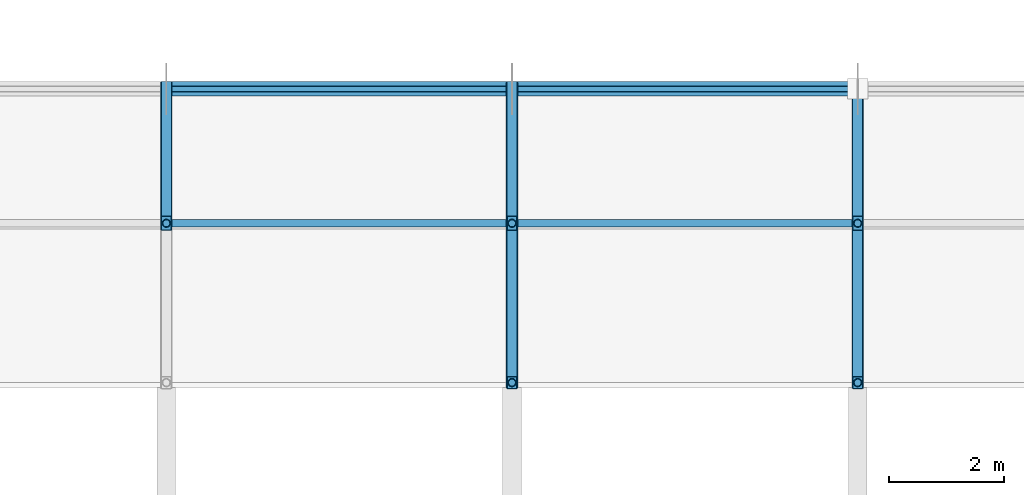
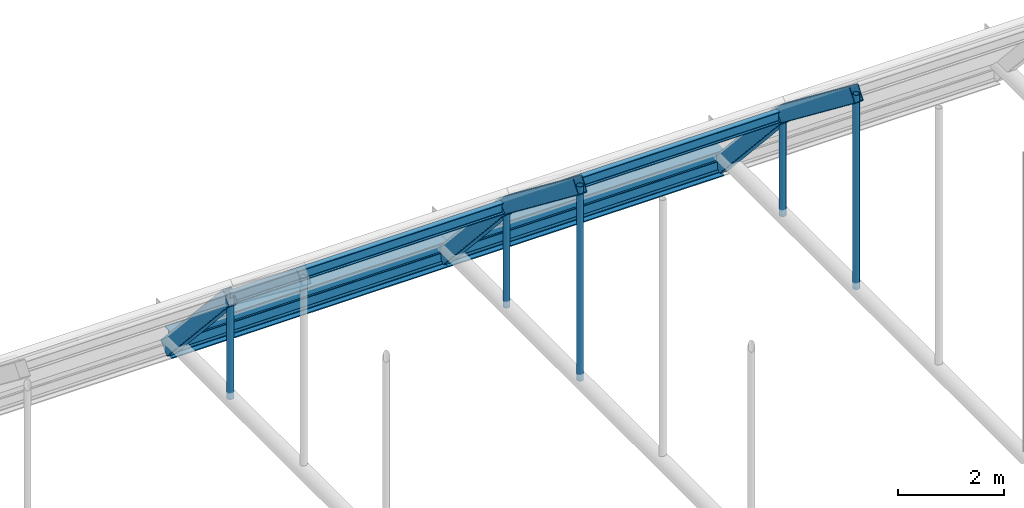
# One storey, part 60 of 116: 9 members, 7 beams.
"""IFC4 building model written with IfcOpenShell, lengths in metres."""

from ifc_helpers import new_model, si_unit, direction, frame, origin, origin_2d, place, context, subcontext, project, spatial, hollow_rectangle, hollow_circle, i_section, extrude, material, material_profile, profile_set, type_object, element, save


model = new_model("IFC4")

# Units and contexts
model_context = context("Model", 3, precision=1e-05, world=origin(), true_north=direction((0.0, 1.0)))
body_context = subcontext(model_context, "Body", "Model", "MODEL_VIEW")
ifc_project = project(units=[si_unit("LENGTHUNIT", "METRE"), si_unit("AREAUNIT", "SQUARE_METRE"), si_unit("VOLUMEUNIT", "CUBIC_METRE"), si_unit("PLANEANGLEUNIT", "RADIAN"), si_unit("MASSUNIT", "GRAM", prefix="KILO")], contexts=[model_context])

# Site, building, storey
site_placement = place(None, origin())
site = spatial("IfcSite", under=ifc_project, at=site_placement, CompositionType="ELEMENT")
building_placement = place(site_placement, origin())
building = spatial("IfcBuilding", under=site, at=building_placement, Name="Varnakota Square Police Headquarters", CompositionType="ELEMENT")
storey_placement = place(building_placement, frame((0.0, 0.0, 9.300048828125)))
storey = spatial("IfcBuildingStorey", under=building, at=storey_placement, Name="L02", CompositionType="ELEMENT", Elevation=9.300048828125)

# Beams
ifc_material = material(Name="Steel IS 2062 Grade 350", Category="steel")
ifc_material_profile_1 = material_profile(ifc_material, i_section(OverallWidth=0.25, OverallDepth=0.60009765625, WebThickness=0.01171875, FlangeThickness=0.023681640625, FilletRadius=0.01708984375, at=origin_2d()), Name="ISWB 600")
ifc_profile_set_1 = profile_set([ifc_material_profile_1], Name="Steel IS 2062 Grade 350")
beam_type_1 = type_object("IfcBeamType", Name="BM-ISWB600", PredefinedType="BEAM", material=ifc_profile_set_1)
for number, where, z_axis, x_axis, name in (
    (1, (78.0, 39.0, -0.300048828125), (1.0, 0.0, 0.0), (0.0, 1.0, 0.0), "Vault V1 north ring beam"),
    (2, (84.0, 39.0, -0.300048828125), (1.0, 0.0, 0.0), (0.0, 1.0, 0.0), "Vault V1 north ring beam"),
):
    element("IfcBeam", number, at=place(storey_placement, frame(where, z_axis=z_axis, x_axis=x_axis)), inside=storey, type_object=beam_type_1, Name=name, PredefinedType="BEAM", context=body_context, shape_type="SweptSolid", body=[
        extrude(i_section(OverallWidth=0.25, OverallDepth=0.60009765625, WebThickness=0.01171875, FlangeThickness=0.023681640625, FilletRadius=0.01708984375, at=origin_2d()), origin(), (0.0, 0.0, 1.0), 6.0),
    ])
ifc_material_profile_2 = material_profile(ifc_material, hollow_rectangle(XDim=0.199951171875, YDim=0.35009765625, WallThickness=0.011962890625, InnerFilletRadius=0.011962890625, OuterFilletRadius=0.02392578125, at=origin_2d()), Name="RHS 350x200x12")
ifc_profile_set_2 = profile_set([ifc_material_profile_2], Name="Steel IS 2062 Grade 350")
beam_type_2 = type_object("IfcBeamType", Name="BM-VR-RHS350", PredefinedType="BEAM", material=ifc_profile_set_2)
beam_1_placement = place(storey_placement, frame((78.0, 36.668212890625, 2.181396484375), z_axis=(0.0, 0.671520631111, -0.740985858159), x_axis=(-1.0, 0.0, 0.0)))
element("IfcBeam", 3, at=beam_1_placement, inside=storey, type_object=beam_type_2, Name="Barrel vault arch rib chord VR-V1-R05-S10", PredefinedType="BEAM", context=body_context, shape_type="SweptSolid", body=[
    extrude(hollow_rectangle(XDim=0.199951171875, YDim=0.35009765625, WallThickness=0.011962890625, InnerFilletRadius=0.011962890625, OuterFilletRadius=0.02392578125, at=origin_2d()), origin(), (0.0, 0.0, 1.0), 3.472412109375),
])
beam_2_placement = place(storey_placement, frame((84.0, 33.902099609375, 4.313232421875), z_axis=(0.0, 0.792062306817, -0.610440252703), x_axis=(-1.0, 0.0, 0.0)))
element("IfcBeam", 4, at=beam_2_placement, inside=storey, type_object=beam_type_2, Name="Barrel vault arch rib chord VR-V1-R06-S09", PredefinedType="BEAM", context=body_context, shape_type="SweptSolid", body=[
    extrude(hollow_rectangle(XDim=0.199951171875, YDim=0.35009765625, WallThickness=0.011962890625, InnerFilletRadius=0.011962890625, OuterFilletRadius=0.02392578125, at=origin_2d()), origin(), (0.0, 0.0, 1.0), 3.4921875),
])
beam_3_placement = place(storey_placement, frame((84.0, 36.668212890625, 2.181396484375), z_axis=(0.0, 0.671520631111, -0.740985858159), x_axis=(-1.0, 0.0, 0.0)))
element("IfcBeam", 5, at=beam_3_placement, inside=storey, type_object=beam_type_2, Name="Barrel vault arch rib chord VR-V1-R06-S10", PredefinedType="BEAM", context=body_context, shape_type="SweptSolid", body=[
    extrude(hollow_rectangle(XDim=0.199951171875, YDim=0.35009765625, WallThickness=0.011962890625, InnerFilletRadius=0.011962890625, OuterFilletRadius=0.02392578125, at=origin_2d()), origin(), (0.0, 0.0, 1.0), 3.472412109375),
])
beam_4_placement = place(storey_placement, frame((90.0, 33.902099609375, 4.313232421875), z_axis=(0.0, 0.792062306817, -0.610440252703), x_axis=(-1.0, 0.0, 0.0)))
element("IfcBeam", 6, at=beam_4_placement, inside=storey, type_object=beam_type_2, Name="Barrel vault arch rib chord VR-V1-R07-S09", PredefinedType="BEAM", context=body_context, shape_type="SweptSolid", body=[
    extrude(hollow_rectangle(XDim=0.199951171875, YDim=0.35009765625, WallThickness=0.011962890625, InnerFilletRadius=0.011962890625, OuterFilletRadius=0.02392578125, at=origin_2d()), origin(), (0.0, 0.0, 1.0), 3.4921875),
])
beam_5_placement = place(storey_placement, frame((90.0, 36.668212890625, 2.181396484375), z_axis=(0.0, 0.671520631111, -0.740985858159), x_axis=(-1.0, 0.0, 0.0)))
element("IfcBeam", 7, at=beam_5_placement, inside=storey, type_object=beam_type_2, Name="Barrel vault arch rib chord VR-V1-R07-S10", PredefinedType="BEAM", context=body_context, shape_type="SweptSolid", body=[
    extrude(hollow_rectangle(XDim=0.199951171875, YDim=0.35009765625, WallThickness=0.011962890625, InnerFilletRadius=0.011962890625, OuterFilletRadius=0.02392578125, at=origin_2d()), origin(), (0.0, 0.0, 1.0), 3.472412109375),
])

# Members
ifc_material_profile_3 = material_profile(ifc_material, hollow_circle(Radius=0.06982421875, WallThickness=0.006103515625, at=origin_2d()), Name="CHS 139.7x6.0")
ifc_profile_set_3 = profile_set([ifc_material_profile_3], Name="Steel IS 2062 Grade 350")
member_type_1 = type_object("IfcMemberType", Name="MEM-HNG-CHS139", PredefinedType="STRUT", material=ifc_profile_set_3)
member_1_placement = place(storey_placement, frame((78.0, 36.668212890625, -0.150146484375), z_axis=(0.0, 0.0, 1.0), x_axis=(1.0, 0.0, 0.0)))
element("IfcMember", 8, at=member_1_placement, inside=storey, type_object=member_type_1, Name="Barrel vault hanger strut V1-R05-N9", PredefinedType="STRUT", context=body_context, shape_type="SweptSolid", body=[
    extrude(hollow_circle(Radius=0.06982421875, WallThickness=0.006103515625, at=origin_2d()), origin(), (0.0, 0.0, 1.0), 2.33154296875),
])
member_2_placement = place(storey_placement, frame((84.0, 33.902099609375, -0.150146484375), z_axis=(0.0, 0.0, 1.0), x_axis=(1.0, 0.0, 0.0)))
element("IfcMember", 9, at=member_2_placement, inside=storey, type_object=member_type_1, Name="Barrel vault hanger strut V1-R06-N8", PredefinedType="STRUT", context=body_context, shape_type="SweptSolid", body=[
    extrude(hollow_circle(Radius=0.06982421875, WallThickness=0.006103515625, at=origin_2d()), origin(), (0.0, 0.0, 1.0), 4.46337890625),
])
member_3_placement = place(storey_placement, frame((84.0, 36.668212890625, -0.150146484375), z_axis=(0.0, 0.0, 1.0), x_axis=(1.0, 0.0, 0.0)))
element("IfcMember", 10, at=member_3_placement, inside=storey, type_object=member_type_1, Name="Barrel vault hanger strut V1-R06-N9", PredefinedType="STRUT", context=body_context, shape_type="SweptSolid", body=[
    extrude(hollow_circle(Radius=0.06982421875, WallThickness=0.006103515625, at=origin_2d()), origin(), (0.0, 0.0, 1.0), 2.33154296875),
])
member_4_placement = place(storey_placement, frame((90.0, 33.902099609375, -0.150146484375), z_axis=(0.0, 0.0, 1.0), x_axis=(1.0, 0.0, 0.0)))
element("IfcMember", 11, at=member_4_placement, inside=storey, type_object=member_type_1, Name="Barrel vault hanger strut V1-R07-N8", PredefinedType="STRUT", context=body_context, shape_type="SweptSolid", body=[
    extrude(hollow_circle(Radius=0.06982421875, WallThickness=0.006103515625, at=origin_2d()), origin(), (0.0, 0.0, 1.0), 4.46337890625),
])
member_5_placement = place(storey_placement, frame((90.0, 36.668212890625, -0.150146484375), z_axis=(0.0, 0.0, 1.0), x_axis=(1.0, 0.0, 0.0)))
element("IfcMember", 12, at=member_5_placement, inside=storey, type_object=member_type_1, Name="Barrel vault hanger strut V1-R07-N9", PredefinedType="STRUT", context=body_context, shape_type="SweptSolid", body=[
    extrude(hollow_circle(Radius=0.06982421875, WallThickness=0.006103515625, at=origin_2d()), origin(), (0.0, 0.0, 1.0), 2.33154296875),
])
ifc_material_profile_4 = material_profile(ifc_material, i_section(OverallWidth=0.125, OverallDepth=0.25, WebThickness=0.0068359375, FlangeThickness=0.012451171875, FilletRadius=0.012939453125, at=origin_2d()), Name="ISMB 250")
ifc_profile_set_4 = profile_set([ifc_material_profile_4], Name="Steel IS 2062 Grade 350")
member_type_2 = type_object("IfcMemberType", Name="MEM-PUR-ISMB250", PredefinedType="PURLIN", material=ifc_profile_set_4)
for number, where, z_axis, x_axis, name in (
    (13, (78.0, 36.668212890625, 2.156494140625), (1.0, 0.0, 0.0), (0.0, 1.0, 0.0), "Vault roof purlin V1-B05-N09"),
    (14, (84.0, 36.668212890625, 2.156494140625), (1.0, 0.0, 0.0), (0.0, 1.0, 0.0), "Vault roof purlin V1-B06-N09"),
):
    element("IfcMember", number, at=place(storey_placement, frame(where, z_axis=z_axis, x_axis=x_axis)), inside=storey, type_object=member_type_2, Name=name, PredefinedType="PURLIN", context=body_context, shape_type="SweptSolid", body=[
        extrude(i_section(OverallWidth=0.125, OverallDepth=0.25, WebThickness=0.0068359375, FlangeThickness=0.012451171875, FilletRadius=0.012939453125, at=origin_2d()), origin(), (0.0, 0.0, 1.0), 6.0),
    ])
ifc_material_profile_5 = material_profile(ifc_material, hollow_rectangle(XDim=0.10009765625, YDim=0.199951171875, WallThickness=0.008056640625, InnerFilletRadius=0.008056640625, OuterFilletRadius=0.01611328125, at=origin_2d()), Name="RHS 200x100x8")
ifc_profile_set_5 = profile_set([ifc_material_profile_5], Name="Steel IS 2062 Grade 350")
member_type_3 = type_object("IfcMemberType", Name="MEM-PUR-RHS200", PredefinedType="PURLIN", material=ifc_profile_set_5)
for number, where, z_axis, x_axis, name in (
    (15, (78.0, 39.0, -0.377685546875), (1.0, 0.0, 0.0), (0.0, 1.0, 0.0), "Vault roof purlin V1-B05-N10"),
    (16, (84.0, 39.0, -0.377685546875), (1.0, 0.0, 0.0), (0.0, 1.0, 0.0), "Vault roof purlin V1-B06-N10"),
):
    element("IfcMember", number, at=place(storey_placement, frame(where, z_axis=z_axis, x_axis=x_axis)), inside=storey, type_object=member_type_3, Name=name, PredefinedType="PURLIN", context=body_context, shape_type="SweptSolid", body=[
        extrude(hollow_rectangle(XDim=0.10009765625, YDim=0.199951171875, WallThickness=0.008056640625, InnerFilletRadius=0.008056640625, OuterFilletRadius=0.01611328125, at=origin_2d()), origin(), (0.0, 0.0, 1.0), 6.0),
    ])

save(model, "model.ifc")
